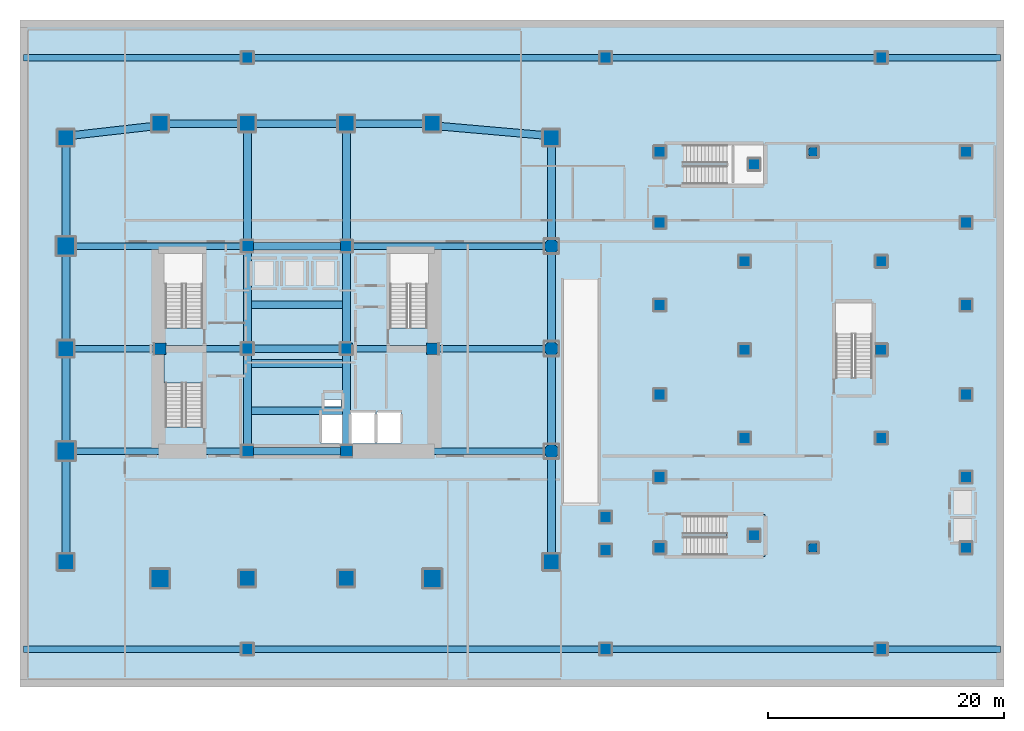
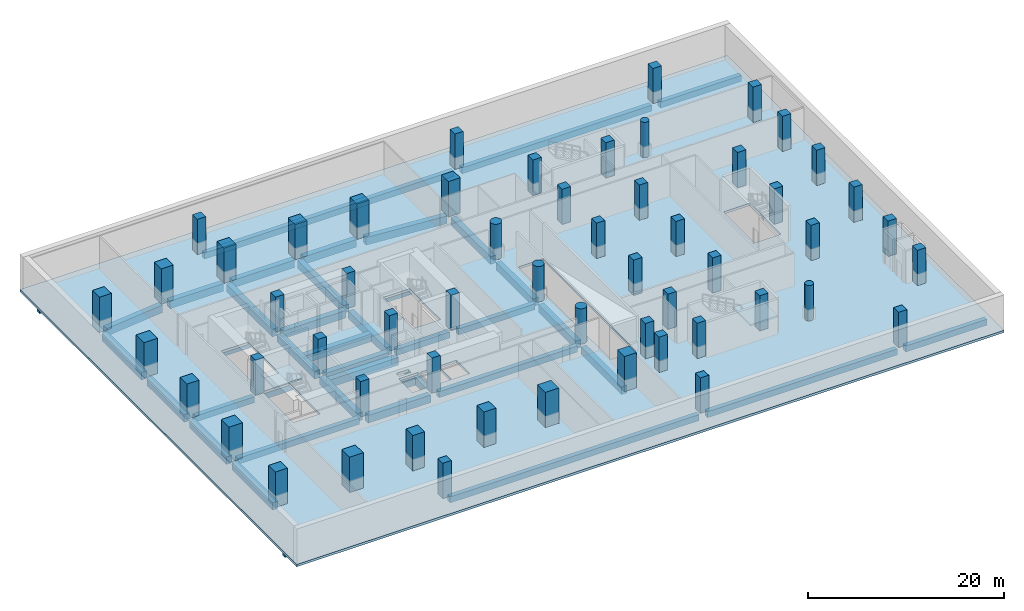
# One storey, part 1 of 15: 56 columns, 41 beams, 3 slabs, 2 elements without a shape of their own.
"""IFC4 building model written with IfcOpenShell, lengths in metres."""

from ifc_helpers import new_model, si_unit, direction, frame, origin, origin_2d, place, context, subcontext, project, spatial, polyline, rectangle, circle, outline, extrude, material, layer, layer_set, material_profile, profile_set, type_object, element, aggregate, save


model = new_model("IFC4")

# Units and contexts
model_context = context("Model", 3, precision=1e-05, world=origin(), true_north=direction((0.0, 1.0)))
body_context = subcontext(model_context, "Body", "Model", "MODEL_VIEW")
ifc_project = project(units=[si_unit("LENGTHUNIT", "METRE"), si_unit("AREAUNIT", "SQUARE_METRE"), si_unit("VOLUMEUNIT", "CUBIC_METRE"), si_unit("PLANEANGLEUNIT", "RADIAN"), si_unit("MASSUNIT", "GRAM", prefix="KILO")], contexts=[model_context])

# Site, building, storey
site_placement = place(None, origin())
site = spatial("IfcSite", under=ifc_project, at=site_placement, CompositionType="ELEMENT")
building_placement = place(site_placement, origin())
building = spatial("IfcBuilding", under=site, at=building_placement, Name="Solanera Arch Residences", CompositionType="ELEMENT")
storey_placement = place(building_placement, frame((0.0, 0.0, -8.800048828125)))
storey = spatial("IfcBuildingStorey", under=building, at=storey_placement, Name="B02", CompositionType="ELEMENT", Elevation=-8.800048828125)

# Columns
ifc_material_1 = material(Name="Concrete C55/67 (f'c = 60 MPa)", Category="concrete")
ifc_material_profile_1 = material_profile(ifc_material_1, rectangle(XDim=1.0, YDim=1.0, at=origin_2d()))
ifc_profile_set_1 = profile_set([ifc_material_profile_1], Name="Concrete C55/67 (f'c = 60 MPa)")
column_type_1 = type_object("IfcColumnType", Name="Structural Column RC-COL-1000X1000", PredefinedType="COLUMN", material=ifc_profile_set_1)
for number, where, z_axis, x_axis, name in (
    (1, (20.800048828125, 22.0, 0.0), (0.0, 0.0, 1.0), (1.0, 0.0, 0.0), "COL-B02-CB-SW"),
    (2, (29.199951171875, 22.0, 0.0), (0.0, 0.0, 1.0), (1.0, 0.0, 0.0), "COL-B02-CB-SE"),
    (3, (20.800048828125, 39.39990234375, 0.0), (0.0, 0.0, 1.0), (1.0, 0.0, 0.0), "COL-B02-CB-NW"),
    (4, (29.199951171875, 39.39990234375, 0.0), (0.0, 0.0, 1.0), (1.0, 0.0, 0.0), "COL-B02-CB-NE"),
    (5, (13.39990234375, 30.699951171875, 0.0), (0.0, 0.0, 1.0), (1.0, 0.0, 0.0), "COL-B02-CB-WW"),
    (6, (36.5, 30.699951171875, 0.0), (0.0, 0.0, 1.0), (1.0, 0.0, 0.0), "COL-B02-CB-EE"),
    (7, (20.800048828125, 30.699951171875, 0.0), (0.0, 0.0, 1.0), (1.0, 0.0, 0.0), "COL-B02-CORE-W"),
    (8, (29.199951171875, 30.699951171875, 0.0), (0.0, 0.0, 1.0), (1.0, 0.0, 0.0), "COL-B02-CORE-E"),
    (9, (63.0, 23.10009765625, 0.0), (0.0, 0.0, 1.0), (1.0, 0.0, 0.0), "COL-B02-PAD-01"),
    (10, (74.60009765625, 23.10009765625, 0.0), (0.0, 0.0, 1.0), (1.0, 0.0, 0.0), "COL-B02-PAD-02"),
    (11, (63.0, 30.60009765625, 0.0), (0.0, 0.0, 1.0), (1.0, 0.0, 0.0), "COL-B02-PAD-03"),
    (12, (74.60009765625, 30.60009765625, 0.0), (0.0, 0.0, 1.0), (1.0, 0.0, 0.0), "COL-B02-PAD-04"),
    (13, (63.0, 38.10009765625, 0.0), (0.0, 0.0, 1.0), (1.0, 0.0, 0.0), "COL-B02-PAD-05"),
    (14, (74.60009765625, 38.10009765625, 0.0), (0.0, 0.0, 1.0), (1.0, 0.0, 0.0), "COL-B02-PAD-06"),
    (15, (51.199951171875, 13.60009765625, 0.0), (0.0, 0.0, 1.0), (1.0, 0.0, 0.0), "COL-B02-PAD-07"),
    (16, (51.199951171875, 16.39990234375, 0.0), (0.0, 0.0, 1.0), (1.0, 0.0, 0.0), "COL-B02-PAD-08"),
    (17, (20.800048828125, 5.199951171875, 0.0), (0.0, 0.0, 1.0), (1.0, 0.0, 0.0), "COL-B02-PAD-09"),
    (18, (51.199951171875, 5.199951171875, 0.0), (0.0, 0.0, 1.0), (1.0, 0.0, 0.0), "COL-B02-PAD-10"),
    (19, (74.60009765625, 5.199951171875, 0.0), (0.0, 0.0, 1.0), (1.0, 0.0, 0.0), "COL-B02-PAD-11"),
    (20, (20.800048828125, 55.39990234375, 0.0), (0.0, 0.0, 1.0), (1.0, 0.0, 0.0), "COL-B02-PAD-12"),
    (21, (51.199951171875, 55.39990234375, 0.0), (0.0, 0.0, 1.0), (1.0, 0.0, 0.0), "COL-B02-PAD-13"),
    (22, (74.60009765625, 55.39990234375, 0.0), (0.0, 0.0, 1.0), (1.0, 0.0, 0.0), "COL-B02-PAD-14"),
    (23, (63.800048828125, 14.860107421875, 0.0), (0.0, 0.0, 1.0), (1.0, 0.0, 0.0), "COL-B02-PAD-15"),
    (24, (63.800048828125, 46.340087890625, 0.0), (0.0, 0.0, 1.0), (1.0, 0.0, 0.0), "COL-B02-PAD-16"),
    (25, (55.800048828125, 13.800048828125, 0.0), (0.0, 0.0, 1.0), (1.0, 0.0, 0.0), "COL-B02-HALL-01"),
    (26, (55.800048828125, 19.800048828125, 0.0), (0.0, 0.0, 1.0), (1.0, 0.0, 0.0), "COL-B02-HALL-02"),
    (27, (55.800048828125, 26.800048828125, 0.0), (0.0, 0.0, 1.0), (1.0, 0.0, 0.0), "COL-B02-HALL-03"),
    (28, (55.800048828125, 34.39990234375, 0.0), (0.0, 0.0, 1.0), (1.0, 0.0, 0.0), "COL-B02-HALL-04"),
    (29, (55.800048828125, 41.39990234375, 0.0), (0.0, 0.0, 1.0), (1.0, 0.0, 0.0), "COL-B02-HALL-05"),
    (30, (55.800048828125, 47.39990234375, 0.0), (0.0, 0.0, 1.0), (1.0, 0.0, 0.0), "COL-B02-HALL-06"),
    (31, (81.800048828125, 13.800048828125, 0.0), (0.0, 0.0, 1.0), (1.0, 0.0, 0.0), "COL-B02-HALL-07"),
    (32, (81.800048828125, 19.800048828125, 0.0), (0.0, 0.0, 1.0), (1.0, 0.0, 0.0), "COL-B02-HALL-08"),
    (33, (81.800048828125, 26.800048828125, 0.0), (0.0, 0.0, 1.0), (1.0, 0.0, 0.0), "COL-B02-HALL-09"),
    (34, (81.800048828125, 34.39990234375, 0.0), (0.0, 0.0, 1.0), (1.0, 0.0, 0.0), "COL-B02-HALL-10"),
    (35, (81.800048828125, 41.39990234375, 0.0), (0.0, 0.0, 1.0), (1.0, 0.0, 0.0), "COL-B02-HALL-11"),
    (36, (81.800048828125, 47.39990234375, 0.0), (0.0, 0.0, 1.0), (1.0, 0.0, 0.0), "COL-B02-HALL-12"),
):
    element("IfcColumn", number, at=place(storey_placement, frame(where, z_axis=z_axis, x_axis=x_axis)), inside=storey, type_object=column_type_1, Name=name, PredefinedType="COLUMN", context=body_context, shape_type="SweptSolid", body=[
        extrude(rectangle(XDim=1.0, YDim=1.0, at=origin_2d()), origin(), (0.0, 0.0, 1.0), 4.400146484375),
    ])
ifc_material_2 = material(Name="Concrete C55/67 (f'c = 60 MPa)", Category="concrete")
ifc_material_profile_2 = material_profile(ifc_material_2, rectangle(XDim=1.39990234375, YDim=1.39990234375, at=origin_2d()))
ifc_profile_set_2 = profile_set([ifc_material_profile_2], Name="Concrete C55/67 (f'c = 60 MPa)")
column_type_2 = type_object("IfcColumnType", Name="Structural Column RC-COL-1400X1400", PredefinedType="COLUMN", material=ifc_profile_set_2)
for number, where, z_axis, x_axis, name in (
    (37, (13.39990234375, 49.800048828125, 0.0), (0.0, 0.0, 1.0), (1.0, 0.0, 0.0), "COL-B02-POD-03"),
    (38, (20.800048828125, 49.800048828125, 0.0), (0.0, 0.0, 1.0), (1.0, 0.0, 0.0), "COL-B02-POD-04"),
    (39, (29.199951171875, 49.800048828125, 0.0), (0.0, 0.0, 1.0), (1.0, 0.0, 0.0), "COL-B02-POD-05"),
    (40, (36.5, 49.800048828125, 0.0), (0.0, 0.0, 1.0), (1.0, 0.0, 0.0), "COL-B02-POD-06"),
    (41, (5.39990234375, 30.699951171875, 0.0), (0.0, 0.0, 1.0), (1.0, 0.0, 0.0), "COL-B02-POD-08"),
    (42, (5.39990234375, 12.60009765625, 0.0), (0.0, 0.0, 1.0), (1.0, 0.0, 0.0), "COL-B02-POD-13"),
    (43, (46.60009765625, 12.60009765625, 0.0), (0.0, 0.0, 1.0), (1.0, 0.0, 0.0), "COL-B02-POD-14"),
    (44, (5.39990234375, 48.60009765625, 0.0), (0.0, 0.0, 1.0), (1.0, 0.0, 0.0), "COL-B02-POD-15"),
    (45, (46.60009765625, 48.60009765625, 0.0), (0.0, 0.0, 1.0), (1.0, 0.0, 0.0), "COL-B02-POD-16"),
    (46, (20.800048828125, 11.199951171875, 0.0), (0.0, 0.0, 1.0), (1.0, 0.0, 0.0), "COL-B02-POD-AS1"),
    (47, (29.199951171875, 11.199951171875, 0.0), (0.0, 0.0, 1.0), (1.0, 0.0, 0.0), "COL-B02-POD-AS2"),
):
    element("IfcColumn", number, at=place(storey_placement, frame(where, z_axis=z_axis, x_axis=x_axis)), inside=storey, type_object=column_type_2, Name=name, PredefinedType="COLUMN", context=body_context, shape_type="SweptSolid", body=[
        extrude(rectangle(XDim=1.39990234375, YDim=1.39990234375, at=origin_2d()), origin(), (0.0, 0.0, 1.0), 4.400146484375),
    ])
ifc_material_3 = material(Name="Concrete C55/67 (f'c = 60 MPa)", Category="concrete")
ifc_material_profile_3 = material_profile(ifc_material_3, rectangle(XDim=1.60009765625, YDim=1.60009765625, at=origin_2d()))
ifc_profile_set_3 = profile_set([ifc_material_profile_3], Name="Concrete C55/67 (f'c = 60 MPa)")
column_type_3 = type_object("IfcColumnType", Name="Structural Column RC-COL-1600X1600", PredefinedType="COLUMN", material=ifc_profile_set_3)
for number, where, z_axis, x_axis, name in (
    (48, (13.39990234375, 11.199951171875, 0.0), (0.0, 0.0, 1.0), (1.0, 0.0, 0.0), "COL-B02-POD-01"),
    (49, (36.5, 11.199951171875, 0.0), (0.0, 0.0, 1.0), (1.0, 0.0, 0.0), "COL-B02-POD-02"),
    (50, (5.39990234375, 22.0, 0.0), (0.0, 0.0, 1.0), (1.0, 0.0, 0.0), "COL-B02-POD-07"),
    (51, (5.39990234375, 39.39990234375, 0.0), (0.0, 0.0, 1.0), (1.0, 0.0, 0.0), "COL-B02-POD-09"),
):
    element("IfcColumn", number, at=place(storey_placement, frame(where, z_axis=z_axis, x_axis=x_axis)), inside=storey, type_object=column_type_3, Name=name, PredefinedType="COLUMN", context=body_context, shape_type="SweptSolid", body=[
        extrude(rectangle(XDim=1.60009765625, YDim=1.60009765625, at=origin_2d()), origin(), (0.0, 0.0, 1.0), 4.400146484375),
    ])
ifc_material_4 = material(Name="Concrete C55/67 (f'c = 60 MPa)", Category="concrete")
ifc_material_profile_4 = material_profile(ifc_material_4, circle(Radius=0.60009765625, at=origin_2d()))
ifc_profile_set_4 = profile_set([ifc_material_profile_4], Name="Concrete C55/67 (f'c = 60 MPa)")
column_type_4 = type_object("IfcColumnType", Name="Structural Column RC-COL-D1200", PredefinedType="COLUMN", material=ifc_profile_set_4)
for number, where, z_axis, x_axis, name in (
    (52, (46.60009765625, 22.0, 0.0), (0.0, 0.0, 1.0), (1.0, 0.0, 0.0), "COL-B02-POD-10"),
    (53, (46.60009765625, 30.699951171875, 0.0), (0.0, 0.0, 1.0), (1.0, 0.0, 0.0), "COL-B02-POD-11"),
    (54, (46.60009765625, 39.39990234375, 0.0), (0.0, 0.0, 1.0), (1.0, 0.0, 0.0), "COL-B02-POD-12"),
):
    element("IfcColumn", number, at=place(storey_placement, frame(where, z_axis=z_axis, x_axis=x_axis)), inside=storey, type_object=column_type_4, Name=name, PredefinedType="COLUMN", context=body_context, shape_type="SweptSolid", body=[
        extrude(circle(Radius=0.60009765625, at=origin_2d()), origin(), (0.0, 0.0, 1.0), 4.400146484375),
    ])
ifc_material_5 = material(Name="Concrete C40/50 (f'c = 45 MPa)", Category="concrete")
ifc_material_profile_5 = material_profile(ifc_material_5, circle(Radius=0.449951171875, at=origin_2d()))
ifc_profile_set_5 = profile_set([ifc_material_profile_5], Name="Concrete C40/50 (f'c = 45 MPa)")
column_type_5 = type_object("IfcColumnType", Name="Structural Column RC-COL-D900", PredefinedType="COLUMN", material=ifc_profile_set_5)
for number, where, z_axis, x_axis, name in (
    (55, (68.800048828125, 13.800048828125, 0.0), (0.0, 0.0, 1.0), (1.0, 0.0, 0.0), "COL-B02-HALL-13"),
    (56, (68.800048828125, 47.39990234375, 0.0), (0.0, 0.0, 1.0), (1.0, 0.0, 0.0), "COL-B02-HALL-14"),
):
    element("IfcColumn", number, at=place(storey_placement, frame(where, z_axis=z_axis, x_axis=x_axis)), inside=storey, type_object=column_type_5, Name=name, PredefinedType="COLUMN", context=body_context, shape_type="SweptSolid", body=[
        extrude(circle(Radius=0.449951171875, at=origin_2d()), origin(), (0.0, 0.0, 1.0), 4.400146484375),
    ])

# Beams
ifc_material_6 = material(Name="Concrete C40/50 (f'c = 45 MPa)", Category="concrete")
ifc_material_profile_6 = material_profile(ifc_material_6, rectangle(XDim=0.550048828125, YDim=0.75, at=origin_2d()))
ifc_profile_set_6 = profile_set([ifc_material_profile_6], Name="Concrete C40/50 (f'c = 45 MPa)")
beam_type_1 = type_object("IfcBeamType", Name="Primary Beam RC-BM-550X750", PredefinedType="BEAM", material=ifc_profile_set_6)
beam_1_placement = place(storey_placement, frame((5.93994140625, 22.0, -0.675048828125), z_axis=(1.0, 0.0, 0.0), x_axis=(0.0, 1.0, 0.0)))
element("IfcBeam", 57, at=beam_1_placement, inside=storey, type_object=beam_type_1, Name="BM-B02-POD-RW-22", PredefinedType="BEAM", context=body_context, shape_type="SweptSolid", body=[
    extrude(rectangle(XDim=0.550048828125, YDim=0.75, at=origin_2d()), origin(), (0.0, 0.0, 1.0), 14.35595703125),
])
beam_2_placement = place(storey_placement, frame((29.7041015625, 22.0, -0.675048828125), z_axis=(1.0, 0.0, 0.0), x_axis=(0.0, 1.0, 0.0)))
element("IfcBeam", 58, at=beam_2_placement, inside=storey, type_object=beam_type_1, Name="BM-B02-POD-RE-22", PredefinedType="BEAM", context=body_context, shape_type="SweptSolid", body=[
    extrude(rectangle(XDim=0.550048828125, YDim=0.75, at=origin_2d()), origin(), (0.0, 0.0, 1.0), 16.35595703125),
])
beam_3_placement = place(storey_placement, frame((5.93994140625, 30.699951171875, -0.675048828125), z_axis=(1.0, 0.0, 0.0), x_axis=(0.0, 1.0, 0.0)))
element("IfcBeam", 59, at=beam_3_placement, inside=storey, type_object=beam_type_1, Name="BM-B02-POD-RW-30", PredefinedType="BEAM", context=body_context, shape_type="SweptSolid", body=[
    extrude(rectangle(XDim=0.550048828125, YDim=0.75, at=origin_2d()), origin(), (0.0, 0.0, 1.0), 6.9560546875),
])
beam_4_placement = place(storey_placement, frame((37.00390625, 30.699951171875, -0.675048828125), z_axis=(1.0, 0.0, 0.0), x_axis=(0.0, 1.0, 0.0)))
element("IfcBeam", 60, at=beam_4_placement, inside=storey, type_object=beam_type_1, Name="BM-B02-POD-RE-30", PredefinedType="BEAM", context=body_context, shape_type="SweptSolid", body=[
    extrude(rectangle(XDim=0.550048828125, YDim=0.75, at=origin_2d()), origin(), (0.0, 0.0, 1.0), 9.05615234375),
])
beam_5_placement = place(storey_placement, frame((5.93994140625, 39.39990234375, -0.675048828125), z_axis=(1.0, 0.0, 0.0), x_axis=(0.0, 1.0, 0.0)))
element("IfcBeam", 61, at=beam_5_placement, inside=storey, type_object=beam_type_1, Name="BM-B02-POD-RW-39", PredefinedType="BEAM", context=body_context, shape_type="SweptSolid", body=[
    extrude(rectangle(XDim=0.550048828125, YDim=0.75, at=origin_2d()), origin(), (0.0, 0.0, 1.0), 14.35595703125),
])
beam_6_placement = place(storey_placement, frame((29.7041015625, 39.39990234375, -0.675048828125), z_axis=(1.0, 0.0, 0.0), x_axis=(0.0, 1.0, 0.0)))
element("IfcBeam", 62, at=beam_6_placement, inside=storey, type_object=beam_type_1, Name="BM-B02-POD-RE-39", PredefinedType="BEAM", context=body_context, shape_type="SweptSolid", body=[
    extrude(rectangle(XDim=0.550048828125, YDim=0.75, at=origin_2d()), origin(), (0.0, 0.0, 1.0), 16.35595703125),
])
beam_7_placement = place(storey_placement, frame((13.904052734375, 30.699951171875, -0.675048828125), z_axis=(1.0, 0.0, 0.0), x_axis=(0.0, 1.0, 0.0)))
element("IfcBeam", 63, at=beam_7_placement, inside=storey, type_object=beam_type_1, Name="BM-B02-HCCW", PredefinedType="BEAM", context=body_context, shape_type="SweptSolid", body=[
    extrude(rectangle(XDim=0.550048828125, YDim=0.75, at=origin_2d()), origin(), (0.0, 0.0, 1.0), 6.391845703125),
])
beam_8_placement = place(storey_placement, frame((29.7041015625, 30.699951171875, -0.675048828125), z_axis=(1.0, 0.0, 0.0), x_axis=(0.0, 1.0, 0.0)))
element("IfcBeam", 64, at=beam_8_placement, inside=storey, type_object=beam_type_1, Name="BM-B02-HCCE", PredefinedType="BEAM", context=body_context, shape_type="SweptSolid", body=[
    extrude(rectangle(XDim=0.550048828125, YDim=0.75, at=origin_2d()), origin(), (0.0, 0.0, 1.0), 6.2919921875),
])
beam_9_placement = place(storey_placement, frame((1.800048828125, 5.199951171875, -0.675048828125), z_axis=(1.0, 0.0, 0.0), x_axis=(0.0, 1.0, 0.0)))
element("IfcBeam", 65, at=beam_9_placement, inside=storey, type_object=beam_type_1, Name="BM-B02-BS-1", PredefinedType="BEAM", context=body_context, shape_type="SweptSolid", body=[
    extrude(rectangle(XDim=0.550048828125, YDim=0.75, at=origin_2d()), origin(), (0.0, 0.0, 1.0), 18.5),
])
beam_10_placement = place(storey_placement, frame((21.300048828125, 5.199951171875, -0.675048828125), z_axis=(1.0, 0.0, 0.0), x_axis=(0.0, 1.0, 0.0)))
element("IfcBeam", 66, at=beam_10_placement, inside=storey, type_object=beam_type_1, Name="BM-B02-BS-2", PredefinedType="BEAM", context=body_context, shape_type="SweptSolid", body=[
    extrude(rectangle(XDim=0.550048828125, YDim=0.75, at=origin_2d()), origin(), (0.0, 0.0, 1.0), 29.39990234375),
])
beam_11_placement = place(storey_placement, frame((51.699951171875, 5.199951171875, -0.675048828125), z_axis=(1.0, 0.0, 0.0), x_axis=(0.0, 1.0, 0.0)))
element("IfcBeam", 67, at=beam_11_placement, inside=storey, type_object=beam_type_1, Name="BM-B02-BS-3", PredefinedType="BEAM", context=body_context, shape_type="SweptSolid", body=[
    extrude(rectangle(XDim=0.550048828125, YDim=0.75, at=origin_2d()), origin(), (0.0, 0.0, 1.0), 22.400146484375),
])
beam_12_placement = place(storey_placement, frame((75.10009765625, 5.199951171875, -0.675048828125), z_axis=(1.0, 0.0, 0.0), x_axis=(0.0, 1.0, 0.0)))
element("IfcBeam", 68, at=beam_12_placement, inside=storey, type_object=beam_type_1, Name="BM-B02-BS-4", PredefinedType="BEAM", context=body_context, shape_type="SweptSolid", body=[
    extrude(rectangle(XDim=0.550048828125, YDim=0.75, at=origin_2d()), origin(), (0.0, 0.0, 1.0), 9.599853515625),
])
beam_13_placement = place(storey_placement, frame((1.800048828125, 55.39990234375, -0.675048828125), z_axis=(1.0, 0.0, 0.0), x_axis=(0.0, 1.0, 0.0)))
element("IfcBeam", 69, at=beam_13_placement, inside=storey, type_object=beam_type_1, Name="BM-B02-BN-1", PredefinedType="BEAM", context=body_context, shape_type="SweptSolid", body=[
    extrude(rectangle(XDim=0.550048828125, YDim=0.75, at=origin_2d()), origin(), (0.0, 0.0, 1.0), 18.5),
])
beam_14_placement = place(storey_placement, frame((21.300048828125, 55.39990234375, -0.675048828125), z_axis=(1.0, 0.0, 0.0), x_axis=(0.0, 1.0, 0.0)))
element("IfcBeam", 70, at=beam_14_placement, inside=storey, type_object=beam_type_1, Name="BM-B02-BN-2", PredefinedType="BEAM", context=body_context, shape_type="SweptSolid", body=[
    extrude(rectangle(XDim=0.550048828125, YDim=0.75, at=origin_2d()), origin(), (0.0, 0.0, 1.0), 29.39990234375),
])
beam_15_placement = place(storey_placement, frame((51.699951171875, 55.39990234375, -0.675048828125), z_axis=(1.0, 0.0, 0.0), x_axis=(0.0, 1.0, 0.0)))
element("IfcBeam", 71, at=beam_15_placement, inside=storey, type_object=beam_type_1, Name="BM-B02-BN-3", PredefinedType="BEAM", context=body_context, shape_type="SweptSolid", body=[
    extrude(rectangle(XDim=0.550048828125, YDim=0.75, at=origin_2d()), origin(), (0.0, 0.0, 1.0), 22.400146484375),
])
beam_16_placement = place(storey_placement, frame((75.10009765625, 55.39990234375, -0.675048828125), z_axis=(1.0, 0.0, 0.0), x_axis=(0.0, 1.0, 0.0)))
element("IfcBeam", 72, at=beam_16_placement, inside=storey, type_object=beam_type_1, Name="BM-B02-BN-4", PredefinedType="BEAM", context=body_context, shape_type="SweptSolid", body=[
    extrude(rectangle(XDim=0.550048828125, YDim=0.75, at=origin_2d()), origin(), (0.0, 0.0, 1.0), 9.599853515625),
])
ifc_material_7 = material(Name="Concrete C40/50 (f'c = 45 MPa)", Category="concrete")
ifc_material_profile_7 = material_profile(ifc_material_7, rectangle(XDim=0.64990234375, YDim=0.949951171875, at=origin_2d()))
ifc_profile_set_7 = profile_set([ifc_material_profile_7], Name="Concrete C40/50 (f'c = 45 MPa)")
beam_type_2 = type_object("IfcBeamType", Name="Primary Beam RC-BM-650X950", PredefinedType="BEAM", material=ifc_profile_set_7)
beam_17_placement = place(storey_placement, frame((5.39990234375, 13.139892578125, -0.77490234375), z_axis=(0.0, 1.0, 0.0), x_axis=(-1.0, 0.0, 0.0)))
element("IfcBeam", 73, at=beam_17_placement, inside=storey, type_object=beam_type_2, Name="BM-B02-POD-W1", PredefinedType="BEAM", context=body_context, shape_type="SweptSolid", body=[
    extrude(rectangle(XDim=0.64990234375, YDim=0.949951171875, at=origin_2d()), origin(), (0.0, 0.0, 1.0), 8.320068359375),
])
beam_18_placement = place(storey_placement, frame((5.39990234375, 22.5400390625, -0.77490234375), z_axis=(0.0, 1.0, 0.0), x_axis=(-1.0, 0.0, 0.0)))
element("IfcBeam", 74, at=beam_18_placement, inside=storey, type_object=beam_type_2, Name="BM-B02-POD-W2", PredefinedType="BEAM", context=body_context, shape_type="SweptSolid", body=[
    extrude(rectangle(XDim=0.64990234375, YDim=0.949951171875, at=origin_2d()), origin(), (0.0, 0.0, 1.0), 7.619873046875),
])
beam_19_placement = place(storey_placement, frame((5.39990234375, 31.239990234375, -0.77490234375), z_axis=(0.0, 1.0, 0.0), x_axis=(-1.0, 0.0, 0.0)))
element("IfcBeam", 75, at=beam_19_placement, inside=storey, type_object=beam_type_2, Name="BM-B02-POD-W3", PredefinedType="BEAM", context=body_context, shape_type="SweptSolid", body=[
    extrude(rectangle(XDim=0.64990234375, YDim=0.949951171875, at=origin_2d()), origin(), (0.0, 0.0, 1.0), 7.6201171875),
])
beam_20_placement = place(storey_placement, frame((5.39990234375, 39.93994140625, -0.77490234375), z_axis=(0.0, 1.0, 0.0), x_axis=(-1.0, 0.0, 0.0)))
element("IfcBeam", 76, at=beam_20_placement, inside=storey, type_object=beam_type_2, Name="BM-B02-POD-W4", PredefinedType="BEAM", context=body_context, shape_type="SweptSolid", body=[
    extrude(rectangle(XDim=0.64990234375, YDim=0.949951171875, at=origin_2d()), origin(), (0.0, 0.0, 1.0), 8.1201171875),
])
beam_21_placement = place(storey_placement, frame((5.8798828125, 48.800048828125, -0.77490234375), z_axis=(0.993604551923, 0.112915873098, 0.0), x_axis=(-0.112915873098, 0.993604551923, 0.0)))
element("IfcBeam", 77, at=beam_21_placement, inside=storey, type_object=beam_type_2, Name="BM-B02-POD-N1", PredefinedType="BEAM", context=body_context, shape_type="SweptSolid", body=[
    extrude(rectangle(XDim=0.64990234375, YDim=0.949951171875, at=origin_2d()), origin(), (0.0, 0.0, 1.0), 7.08544921875),
])
beam_22_placement = place(storey_placement, frame((13.93994140625, 49.800048828125, -0.77490234375), z_axis=(1.0, 0.0, 0.0), x_axis=(0.0, 1.0, 0.0)))
element("IfcBeam", 78, at=beam_22_placement, inside=storey, type_object=beam_type_2, Name="BM-B02-POD-N2", PredefinedType="BEAM", context=body_context, shape_type="SweptSolid", body=[
    extrude(rectangle(XDim=0.64990234375, YDim=0.949951171875, at=origin_2d()), origin(), (0.0, 0.0, 1.0), 6.320068359375),
])
beam_23_placement = place(storey_placement, frame((21.340087890625, 49.800048828125, -0.77490234375), z_axis=(1.0, 0.0, 0.0), x_axis=(0.0, 1.0, 0.0)))
element("IfcBeam", 79, at=beam_23_placement, inside=storey, type_object=beam_type_2, Name="BM-B02-POD-N3", PredefinedType="BEAM", context=body_context, shape_type="SweptSolid", body=[
    extrude(rectangle(XDim=0.64990234375, YDim=0.949951171875, at=origin_2d()), origin(), (0.0, 0.0, 1.0), 7.31982421875),
])
beam_24_placement = place(storey_placement, frame((29.739990234375, 49.800048828125, -0.77490234375), z_axis=(1.0, 0.0, 0.0), x_axis=(0.0, 1.0, 0.0)))
element("IfcBeam", 80, at=beam_24_placement, inside=storey, type_object=beam_type_2, Name="BM-B02-POD-N4", PredefinedType="BEAM", context=body_context, shape_type="SweptSolid", body=[
    extrude(rectangle(XDim=0.64990234375, YDim=0.949951171875, at=origin_2d()), origin(), (0.0, 0.0, 1.0), 6.219970703125),
])
beam_25_placement = place(storey_placement, frame((36.97998046875, 49.60009765625, -0.77490234375), z_axis=(0.996191002053, -0.087197978357, 0.0), x_axis=(0.087197978357, 0.996191002053, 0.0)))
element("IfcBeam", 81, at=beam_25_placement, inside=storey, type_object=beam_type_2, Name="BM-B02-POD-N5", PredefinedType="BEAM", context=body_context, shape_type="SweptSolid", body=[
    extrude(rectangle(XDim=0.64990234375, YDim=0.949951171875, at=origin_2d()), origin(), (0.0, 0.0, 1.0), 9.175048828125),
])
beam_26_placement = place(storey_placement, frame((46.60009765625, 13.139892578125, -0.77490234375), z_axis=(0.0, 1.0, 0.0), x_axis=(-1.0, 0.0, 0.0)))
element("IfcBeam", 82, at=beam_26_placement, inside=storey, type_object=beam_type_2, Name="BM-B02-POD-E1", PredefinedType="BEAM", context=body_context, shape_type="SweptSolid", body=[
    extrude(rectangle(XDim=0.64990234375, YDim=0.949951171875, at=origin_2d()), origin(), (0.0, 0.0, 1.0), 8.320068359375),
])
beam_27_placement = place(storey_placement, frame((46.60009765625, 22.5400390625, -0.77490234375), z_axis=(0.0, 1.0, 0.0), x_axis=(-1.0, 0.0, 0.0)))
element("IfcBeam", 83, at=beam_27_placement, inside=storey, type_object=beam_type_2, Name="BM-B02-POD-E2", PredefinedType="BEAM", context=body_context, shape_type="SweptSolid", body=[
    extrude(rectangle(XDim=0.64990234375, YDim=0.949951171875, at=origin_2d()), origin(), (0.0, 0.0, 1.0), 7.619873046875),
])
beam_28_placement = place(storey_placement, frame((46.60009765625, 31.239990234375, -0.77490234375), z_axis=(0.0, 1.0, 0.0), x_axis=(-1.0, 0.0, 0.0)))
element("IfcBeam", 84, at=beam_28_placement, inside=storey, type_object=beam_type_2, Name="BM-B02-POD-E3", PredefinedType="BEAM", context=body_context, shape_type="SweptSolid", body=[
    extrude(rectangle(XDim=0.64990234375, YDim=0.949951171875, at=origin_2d()), origin(), (0.0, 0.0, 1.0), 7.6201171875),
])
beam_29_placement = place(storey_placement, frame((46.60009765625, 39.93994140625, -0.77490234375), z_axis=(0.0, 1.0, 0.0), x_axis=(-1.0, 0.0, 0.0)))
element("IfcBeam", 85, at=beam_29_placement, inside=storey, type_object=beam_type_2, Name="BM-B02-POD-E4", PredefinedType="BEAM", context=body_context, shape_type="SweptSolid", body=[
    extrude(rectangle(XDim=0.64990234375, YDim=0.949951171875, at=origin_2d()), origin(), (0.0, 0.0, 1.0), 8.1201171875),
])
beam_30_placement = place(storey_placement, frame((20.800048828125, 22.50390625, -0.77490234375), z_axis=(0.0, 1.0, 0.0), x_axis=(-1.0, 0.0, 0.0)))
element("IfcBeam", 86, at=beam_30_placement, inside=storey, type_object=beam_type_2, Name="BM-B02-HCNS-20", PredefinedType="BEAM", context=body_context, shape_type="SweptSolid", body=[
    extrude(rectangle(XDim=0.64990234375, YDim=0.949951171875, at=origin_2d()), origin(), (0.0, 0.0, 1.0), 7.692138671875),
])
beam_31_placement = place(storey_placement, frame((20.800048828125, 31.2041015625, -0.77490234375), z_axis=(0.0, 1.0, 0.0), x_axis=(-1.0, 0.0, 0.0)))
element("IfcBeam", 87, at=beam_31_placement, inside=storey, type_object=beam_type_2, Name="BM-B02-HCNN-20", PredefinedType="BEAM", context=body_context, shape_type="SweptSolid", body=[
    extrude(rectangle(XDim=0.64990234375, YDim=0.949951171875, at=origin_2d()), origin(), (0.0, 0.0, 1.0), 7.69189453125),
])
beam_32_placement = place(storey_placement, frame((20.800048828125, 39.904052734375, -0.77490234375), z_axis=(0.0, 1.0, 0.0), x_axis=(-1.0, 0.0, 0.0)))
element("IfcBeam", 88, at=beam_32_placement, inside=storey, type_object=beam_type_2, Name="BM-B02-POD-RN-20", PredefinedType="BEAM", context=body_context, shape_type="SweptSolid", body=[
    extrude(rectangle(XDim=0.64990234375, YDim=0.949951171875, at=origin_2d()), origin(), (0.0, 0.0, 1.0), 9.35595703125),
])
beam_33_placement = place(storey_placement, frame((29.199951171875, 22.50390625, -0.77490234375), z_axis=(0.0, 1.0, 0.0), x_axis=(-1.0, 0.0, 0.0)))
element("IfcBeam", 89, at=beam_33_placement, inside=storey, type_object=beam_type_2, Name="BM-B02-HCNS-29", PredefinedType="BEAM", context=body_context, shape_type="SweptSolid", body=[
    extrude(rectangle(XDim=0.64990234375, YDim=0.949951171875, at=origin_2d()), origin(), (0.0, 0.0, 1.0), 7.692138671875),
])
beam_34_placement = place(storey_placement, frame((29.199951171875, 31.2041015625, -0.77490234375), z_axis=(0.0, 1.0, 0.0), x_axis=(-1.0, 0.0, 0.0)))
element("IfcBeam", 90, at=beam_34_placement, inside=storey, type_object=beam_type_2, Name="BM-B02-HCNN-29", PredefinedType="BEAM", context=body_context, shape_type="SweptSolid", body=[
    extrude(rectangle(XDim=0.64990234375, YDim=0.949951171875, at=origin_2d()), origin(), (0.0, 0.0, 1.0), 7.69189453125),
])
beam_35_placement = place(storey_placement, frame((29.199951171875, 39.904052734375, -0.77490234375), z_axis=(0.0, 1.0, 0.0), x_axis=(-1.0, 0.0, 0.0)))
element("IfcBeam", 91, at=beam_35_placement, inside=storey, type_object=beam_type_2, Name="BM-B02-POD-RN-29", PredefinedType="BEAM", context=body_context, shape_type="SweptSolid", body=[
    extrude(rectangle(XDim=0.64990234375, YDim=0.949951171875, at=origin_2d()), origin(), (0.0, 0.0, 1.0), 9.35595703125),
])
for number, where, z_axis, x_axis, name in (
    (92, (21.303955078125, 22.0, -0.77490234375), (1.0, 0.0, 0.0), (0.0, 1.0, 0.0), "BM-B02-HCEW-22"),
    (93, (21.303955078125, 30.699951171875, -0.77490234375), (1.0, 0.0, 0.0), (0.0, 1.0, 0.0), "BM-B02-HCEW-30"),
    (94, (21.303955078125, 39.39990234375, -0.77490234375), (1.0, 0.0, 0.0), (0.0, 1.0, 0.0), "BM-B02-HCEW-39"),
):
    element("IfcBeam", number, at=place(storey_placement, frame(where, z_axis=z_axis, x_axis=x_axis)), inside=storey, type_object=beam_type_2, Name=name, PredefinedType="BEAM", context=body_context, shape_type="SweptSolid", body=[
        extrude(rectangle(XDim=0.64990234375, YDim=0.949951171875, at=origin_2d()), origin(), (0.0, 0.0, 1.0), 7.39208984375),
    ])
for number, where, z_axis, x_axis, name in (
    (95, (20.800048828125, 25.449951171875, -0.77490234375), (1.0, 0.0, 0.0), (0.0, 1.0, 0.0), "BM-B02-HST-254"),
    (96, (20.800048828125, 29.449951171875, -0.77490234375), (1.0, 0.0, 0.0), (0.0, 1.0, 0.0), "BM-B02-HST-294"),
    (97, (20.800048828125, 34.449951171875, -0.77490234375), (1.0, 0.0, 0.0), (0.0, 1.0, 0.0), "BM-B02-HST-344"),
):
    element("IfcBeam", number, at=place(storey_placement, frame(where, z_axis=z_axis, x_axis=x_axis)), inside=storey, type_object=beam_type_2, Name=name, PredefinedType="BEAM", context=body_context, shape_type="SweptSolid", body=[
        extrude(rectangle(XDim=0.64990234375, YDim=0.949951171875, at=origin_2d()), origin(), (0.0, 0.0, 1.0), 8.39990234375),
    ])

# Stair, slab
ifc_material_8 = material(Name="Concrete C40/50 (f'c = 45 MPa)", Category="concrete")
stair_type_1 = type_object("IfcStairType", Name="Tower Dogleg Exit Stair 1480", PredefinedType="HALF_TURN_STAIR", material=ifc_material_8)
stair_1_placement = place(storey_placement, origin())
stair_1 = element("IfcStair", 98, at=stair_1_placement, inside=storey, type_object=stair_type_1, Name="B02 Tower Core Exit Stair 3", PredefinedType="HALF_TURN_STAIR")
ifc_material_9 = material(Name="Concrete C40/50 (f'c = 45 MPa)", Category="concrete")
ifc_layer_1 = layer(ifc_material_9, 0.199951171875)
ifc_layer_set_1 = layer_set([ifc_layer_1], Name="Concrete C40/50 (f'c = 45 MPa)")
slab_type_1 = type_object("IfcSlabType", Name="Stair Half-Landing Slab 200", PredefinedType="LANDING", material=ifc_layer_set_1)
slab_1_placement = place(storey_placement, frame((0.0, 0.0, 2.0)))
slab_1 = element("IfcSlab", 99, at=slab_1_placement, type_object=slab_type_1, Name="ST-T3 landing 1", PredefinedType="LANDING", context=body_context, shape_type="SweptSolid", body=[
    extrude(outline(polyline([(17.1201171875, 27.7900390625), (17.1201171875, 30.52001953125), (13.719970703125, 30.52001953125), (13.719970703125, 27.7900390625), (17.1201171875, 27.7900390625)])), origin(), (0.0, 0.0, 1.0), 0.199951171875),
])
aggregate(stair_1, [slab_1])

ifc_material_10 = material(Name="Concrete C40/50 (f'c = 45 MPa)", Category="concrete")
stair_type_2 = type_object("IfcStairType", Name="Arena Dogleg Exit Stair 1560", PredefinedType="HALF_TURN_STAIR", material=ifc_material_10)
stair_2_placement = place(storey_placement, origin())
stair_2 = element("IfcStair", 100, at=stair_2_placement, inside=storey, type_object=stair_type_2, Name="B02 Sports Hall South Exit Stair", PredefinedType="HALF_TURN_STAIR")
slab_2_placement = place(storey_placement, frame((0.0, 0.0, 2.0)))
slab_2 = element("IfcSlab", 101, at=slab_2_placement, type_object=slab_type_1, Name="ST-H1 landing 1", PredefinedType="LANDING", context=body_context, shape_type="SweptSolid", body=[
    extrude(outline(polyline([(61.469970703125, 13.080078125), (64.719970703125, 13.080078125), (64.719970703125, 16.639892578125), (61.469970703125, 16.639892578125), (61.469970703125, 13.080078125)])), origin(), (0.0, 0.0, 1.0), 0.199951171875),
])
aggregate(stair_2, [slab_2])

# Slab
ifc_material_11 = material(Name="Concrete C40/50 (f'c = 45 MPa)", Category="concrete")
ifc_layer_2 = layer(ifc_material_11, 0.300048828125)
ifc_layer_set_2 = layer_set([ifc_layer_2], Name="Concrete C40/50 (f'c = 45 MPa)")
slab_type_2 = type_object("IfcSlabType", Name="Suspended Floor Slab Post-Tensioned 300", PredefinedType="FLOOR", material=ifc_layer_set_2)
slab_3_placement = place(storey_placement, frame((0.0, 0.0, -0.300048828125)))
element("IfcSlab", 102, at=slab_3_placement, inside=storey, type_object=slab_type_2, Name="B02 Basement Car Park Structural Slab", PredefinedType="FLOOR", context=body_context, shape_type="SweptSolid", body=[
    extrude(outline(polyline([(1.5, 2.0), (85.0, 2.0), (85.0, 58.60009765625), (1.5, 58.60009765625), (1.5, 2.0)]), holes=[polyline([(13.840087890625, 32.48291015625), (13.840087890625, 38.800048828125), (17.0, 38.800048828125), (17.0, 32.48291015625), (13.840087890625, 32.48291015625)]), polyline([(32.89990234375, 32.48291015625), (32.89990234375, 38.800048828125), (36.06005859375, 38.800048828125), (36.06005859375, 32.48291015625), (32.89990234375, 32.48291015625)]), polyline([(13.840087890625, 24.0830078125), (13.840087890625, 30.39990234375), (17.0, 30.39990234375), (17.0, 24.0830078125), (13.840087890625, 24.0830078125)]), polyline([(70.719970703125, 28.242919921875), (70.719970703125, 34.60009765625), (73.800048828125, 34.60009765625), (73.800048828125, 28.242919921875), (70.719970703125, 28.242919921875)]), polyline([(29.550048828125, 25.35009765625), (31.64990234375, 25.35009765625), (31.64990234375, 22.64990234375), (29.550048828125, 22.64990234375), (29.550048828125, 25.35009765625)]), polyline([(31.75, 25.35009765625), (33.85009765625, 25.35009765625), (33.85009765625, 22.64990234375), (31.75, 22.64990234375), (31.75, 25.35009765625)]), polyline([(27.050048828125, 25.449951171875), (29.35009765625, 25.449951171875), (29.35009765625, 22.64990234375), (27.050048828125, 22.64990234375), (27.050048828125, 25.449951171875)]), polyline([(27.340087890625, 26.3798828125), (28.760009765625, 26.3798828125), (28.760009765625, 25.820068359375), (27.340087890625, 25.820068359375), (27.340087890625, 26.3798828125)]), polyline([(47.60009765625, 36.60009765625), (50.60009765625, 36.60009765625), (50.60009765625, 17.60009765625), (47.60009765625, 17.60009765625), (47.60009765625, 36.60009765625)])]), origin(), (0.0, 0.0, 1.0), 0.300048828125),
])

save(model, "model.ifc")
